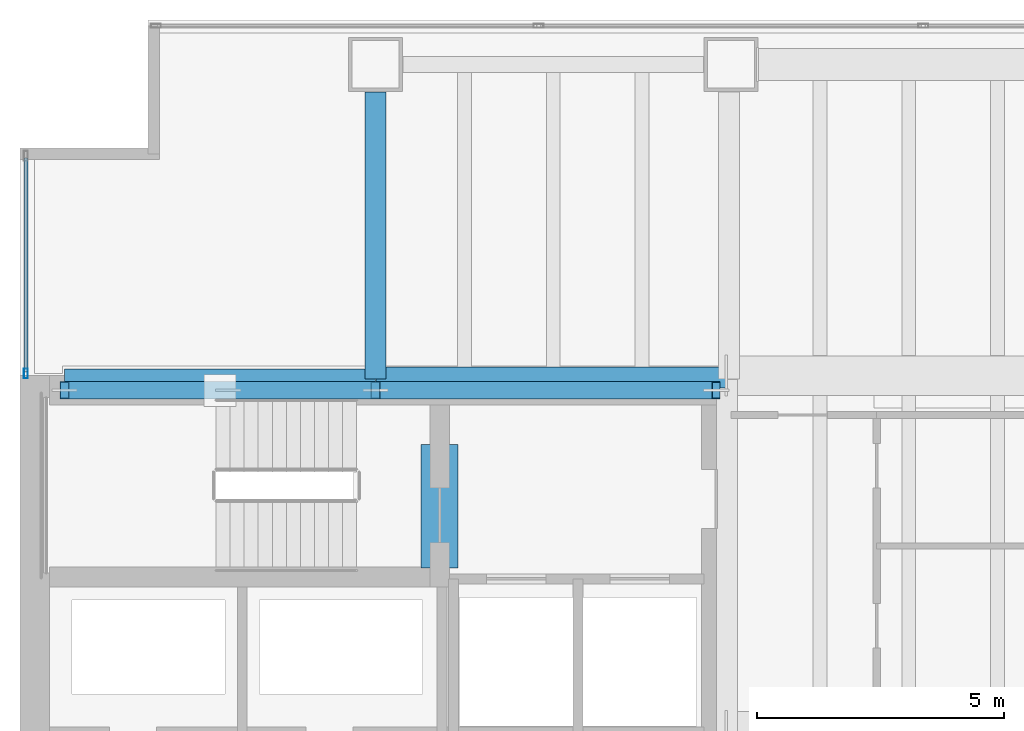
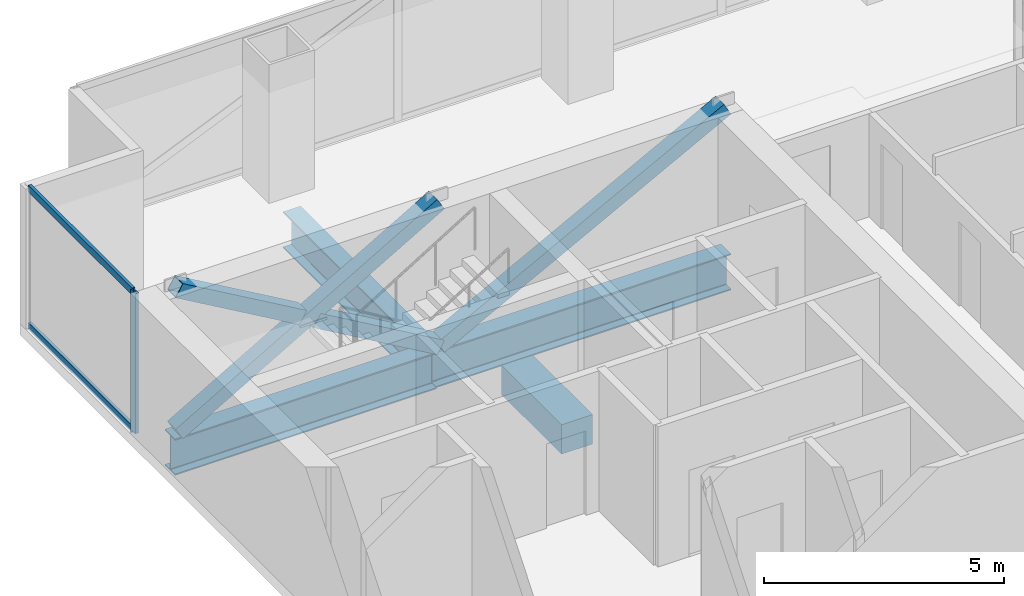
# One storey, part 14 of 24: 7 members, 4 beams, 1 element without a shape of its own.
"""IFC4 building model written with IfcOpenShell, lengths in metres."""

import ifcopenshell
import ifcopenshell.guid

model = None  # the IFC model being written
_history = None  # IfcOwnerHistory: only IFC2X3 demands one
_inside = {}  # id of a spatial element -> (the spatial element, [elements in it])
_under = {}  # id of a project, library or spatial element -> (it, [spatial elements below it])
_declared = {}  # id of a project -> (the project, [libraries it declares])
_typed = {}  # id of a type object -> (the type object, [elements of that type])
_made_of = {}  # id of a material, layer set ... -> (it, [elements and type objects made of it])


def new_model(schema):
    """Start an empty IFC model of exactly this schema.

    Asked for "IFC4X3", IfcOpenShell would pick the latest addendum, in which some entities
    have other attributes; the version numbers below select the first issue.
    IFC2X3 requires an IfcOwnerHistory on every rooted entity: one is made here for all.
    """
    global model, _history
    if schema == "IFC4X3":
        model = ifcopenshell.file(schema_version=(4, 3, 0, 0))
    else:
        model = ifcopenshell.file(schema=schema)
    _inside.clear()
    _under.clear()
    _declared.clear()
    _typed.clear()
    _made_of.clear()
    _history = None
    if model.schema == "IFC2X3":
        org = make("IfcOrganization", Name="unknown")
        user = make(
            "IfcPersonAndOrganization",
            ThePerson=make("IfcPerson", FamilyName="unknown"),
            TheOrganization=org,
        )
        app = make(
            "IfcApplication",
            ApplicationDeveloper=org,
            Version="unknown",
            ApplicationFullName="unknown",
            ApplicationIdentifier="unknown",
        )
        _history = make(
            "IfcOwnerHistory",
            OwningUser=user,
            OwningApplication=app,
            ChangeAction="ADDED",
            CreationDate=0,
        )
    return model


def make(cls, **values):
    """One entity of the class cls with the attributes given. An attribute that is None is left unset."""
    return model.create_entity(
        cls, **{name: value for name, value in values.items() if value is not None}
    )


def rooted(cls, **values):
    """An entity with a GlobalId (a new one), such as an element, a storey or a relation."""
    return make(cls, GlobalId=ifcopenshell.guid.new(), OwnerHistory=_history, **values)


def si_unit(unit_type, name, prefix=None):
    """IfcSIUnit, for example si_unit("LENGTHUNIT", "METRE", prefix="MILLI")."""
    return make("IfcSIUnit", UnitType=unit_type, Prefix=prefix, Name=name)


def assignment(units):
    """IfcUnitAssignment: the units of a project."""
    return None if units is None else make("IfcUnitAssignment", Units=units)


def point(xyz):
    """IfcCartesianPoint."""
    return None if xyz is None else make("IfcCartesianPoint", Coordinates=xyz)


def direction(xyz):
    """IfcDirection."""
    return None if xyz is None else make("IfcDirection", DirectionRatios=xyz)


def frame(location, z_axis=None, x_axis=None):
    """IfcAxis2Placement3D, a coordinate frame: its origin and axes. An axis left out is left unset."""
    return make(
        "IfcAxis2Placement3D",
        Location=point(location),
        Axis=direction(z_axis),
        RefDirection=direction(x_axis),
    )


def frame_2d(location, x_axis=None):
    """IfcAxis2Placement2D, a coordinate frame in the plane: its origin and x axis."""
    return make(
        "IfcAxis2Placement2D", Location=point(location), RefDirection=direction(x_axis)
    )


def origin():
    """The frame at (0, 0, 0) with its axes left unset."""
    return frame((0.0, 0.0, 0.0))


def origin_2d():
    """The frame at (0, 0) in the plane with its x axis left unset."""
    return frame_2d((0.0, 0.0))


def place(relative_to, where):
    """IfcLocalPlacement: puts the frame where relative to a parent placement (None: the world)."""
    return make(
        "IfcLocalPlacement", PlacementRelTo=relative_to, RelativePlacement=where
    )


def context(
    kind, dimensions, precision=None, world=None, true_north=None, identifier=None
):
    """IfcGeometricRepresentationContext, for example the 3D "Model" context."""
    return make(
        "IfcGeometricRepresentationContext",
        ContextIdentifier=identifier,
        ContextType=kind,
        CoordinateSpaceDimension=dimensions,
        Precision=precision,
        WorldCoordinateSystem=world,
        TrueNorth=true_north,
    )


def subcontext(parent, identifier, kind, view, scale=None):
    """IfcGeometricRepresentationSubContext, for example "Body" below "Model"."""
    return make(
        "IfcGeometricRepresentationSubContext",
        ContextIdentifier=identifier,
        ContextType=kind,
        ParentContext=parent,
        TargetScale=scale,
        TargetView=view,
    )


def project(units=None, contexts=None):
    """IfcProject with its units and contexts."""
    return rooted(
        "IfcProject",
        Name="project",
        RepresentationContexts=contexts,
        UnitsInContext=assignment(units),
    )


def spatial(cls, under=None, at=None, **own):
    """A site, building, storey or space (cls), placed at a placement, below another one or the project."""
    s = rooted(cls, ObjectPlacement=at, **own)
    if under is not None:
        _under.setdefault(under.id(), (under, []))[1].append(s)
    return s


def profile(cls, at=None, kind="AREA", **sizes):
    """A parametric profile (cls). Its sizes go by their IFC names, for example OverallWidth=200.0."""
    return make(cls, ProfileType=kind, Position=at, **sizes)


def rectangle(**sizes):
    """IfcRectangleProfileDef."""
    return profile("IfcRectangleProfileDef", **sizes)


def hollow_rectangle(**sizes):
    """IfcRectangleHollowProfileDef."""
    return profile("IfcRectangleHollowProfileDef", **sizes)


def i_section(**sizes):
    """IfcIShapeProfileDef."""
    return profile("IfcIShapeProfileDef", **sizes)


def extrude(swept, where, along, depth):
    """IfcExtrudedAreaSolid: the profile swept, set in the frame where, extruded along a direction by depth."""
    return make(
        "IfcExtrudedAreaSolid",
        SweptArea=swept,
        Position=where,
        ExtrudedDirection=direction(along),
        Depth=depth,
    )


def shape(context_of_items, identifier, shape_type, items):
    """IfcShapeRepresentation: the items that make up one representation, for example the "Body"."""
    return make(
        "IfcShapeRepresentation",
        ContextOfItems=context_of_items,
        RepresentationIdentifier=identifier,
        RepresentationType=shape_type,
        Items=items,
    )


def material(Name=None, Category=None):
    """IfcMaterial."""
    return make("IfcMaterial", Name=Name, Category=Category)


def material_profile(
    of_material, cross_section, Name=None, Category=None, Priority=None
):
    """IfcMaterialProfile: a cross section and its material."""
    return make(
        "IfcMaterialProfile",
        Name=Name,
        Material=of_material,
        Profile=cross_section,
        Priority=Priority,
        Category=Category,
    )


def profile_set(profiles, Name=None, composite=None):
    """IfcMaterialProfileSet."""
    return make(
        "IfcMaterialProfileSet",
        Name=Name,
        MaterialProfiles=profiles,
        CompositeProfile=composite,
    )


def made_of(thing, what):
    """Note that an element or type object is made of a material, layer set ...; save() writes the relation."""
    if what is not None:
        _made_of.setdefault(what.id(), (what, []))[1].append(thing)
    return thing


def type_object(cls, material=None, **own):
    """A type object (cls), such as IfcWallType, which elements share."""
    return made_of(rooted(cls, **own), material)


def element(
    cls,
    number,
    at=None,
    inside=None,
    cuts=None,
    type_object=None,
    material=None,
    context=None,
    identifier="Body",
    shape_type=None,
    held_by="IfcProductDefinitionShape",
    body=None,
    shapes=None,
    **own,
):
    """One element of the class cls, such as IfcWall. Its Tag is "e" and its number.

    at: its placement. inside: the storey or other place that contains it. cuts: it is an
    opening in that element (IfcRelVoidsElement). A single representation is given by context,
    identifier, shape_type and body (its items); several are given by shapes. held_by: the class
    of the entity that holds the representations. save() writes the other relations.
    """
    e = rooted(cls, Tag="e%d" % number, ObjectPlacement=at, **own)
    if body is not None:
        shapes = [shape(context, identifier, shape_type, body)]
    if shapes is not None:
        e.Representation = make(held_by, Representations=shapes)
    if inside is not None:
        _inside.setdefault(inside.id(), (inside, []))[1].append(e)
    if cuts is not None:
        rooted(
            "IfcRelVoidsElement", RelatingBuildingElement=cuts, RelatedOpeningElement=e
        )
    if type_object is not None:
        _typed.setdefault(type_object.id(), (type_object, []))[1].append(e)
    return made_of(e, material)


def aggregate(whole, parts):
    """IfcRelAggregates: a whole, such as a stair, and the parts it consists of."""
    return rooted("IfcRelAggregates", RelatingObject=whole, RelatedObjects=parts)


def save(model, path):
    """Write the relations noted so far, then the file.

    IfcRelAggregates (storeys below a building ...), IfcRelContainedInSpatialStructure (elements
    in a storey), IfcRelDefinesByType, IfcRelAssociatesMaterial and IfcRelDeclares: one each for
    every whole, place, type object, material and project.
    """
    for whole, parts in _under.values():
        aggregate(whole, parts)
    for where, things in _inside.values():
        rooted(
            "IfcRelContainedInSpatialStructure",
            RelatedElements=things,
            RelatingStructure=where,
        )
    for kind, things in _typed.values():
        rooted("IfcRelDefinesByType", RelatedObjects=things, RelatingType=kind)
    for what, things in _made_of.values():
        rooted("IfcRelAssociatesMaterial", RelatedObjects=things, RelatingMaterial=what)
    for by, libraries in _declared.values():
        rooted("IfcRelDeclares", RelatingContext=by, RelatedDefinitions=libraries)
    model.write(path)


model = new_model("IFC4")

# Units and contexts
model_context = context("Model", 3, precision=1e-05, world=origin(), true_north=direction((0.0, 1.0)))
body_context = subcontext(model_context, "Body", "Model", "MODEL_VIEW")
ifc_project = project(units=[si_unit("LENGTHUNIT", "METRE"), si_unit("AREAUNIT", "SQUARE_METRE"), si_unit("VOLUMEUNIT", "CUBIC_METRE"), si_unit("PLANEANGLEUNIT", "RADIAN"), si_unit("MASSUNIT", "GRAM", prefix="KILO")], contexts=[model_context])

# Site, building, storey
site_placement = place(None, origin())
site = spatial("IfcSite", under=ifc_project, at=site_placement, CompositionType="ELEMENT")
building_placement = place(site_placement, origin())
building = spatial("IfcBuilding", under=site, at=building_placement, Name="Cobrela Telecom Tower", CompositionType="ELEMENT")
storey_placement = place(building_placement, frame((0.0, 0.0, 31.14990234375)))
storey = spatial("IfcBuildingStorey", under=building, at=storey_placement, Name="L07", CompositionType="ELEMENT", Elevation=31.14990234375)

# Beams
ifc_material_1 = material(Name="Concrete C40/50", Category="concrete")
ifc_material_profile_1 = material_profile(ifc_material_1, rectangle(XDim=0.75, YDim=0.75, at=origin_2d()), Name="RC 750x750")
ifc_profile_set_1 = profile_set([ifc_material_profile_1], Name="Concrete C40/50")
beam_type_1 = type_object("IfcBeamType", Name="BM-COUP-RC", PredefinedType="LINTEL", material=ifc_profile_set_1)
beam_1_placement = place(storey_placement, frame((8.5, 32.10009765625, -0.6298828125), z_axis=(0.0, 1.0, 0.0), x_axis=(-1.0, 0.0, 0.0)))
element("IfcBeam", 1, at=beam_1_placement, inside=storey, type_object=beam_type_1, Name="L07 Core Coupling Lintel Beam", PredefinedType="LINTEL", context=body_context, shape_type="SweptSolid", body=[
    extrude(rectangle(XDim=0.75, YDim=0.75, at=origin_2d()), origin(), (0.0, 0.0, 1.0), 2.5),
])
ifc_material_2 = material(Name="Steel ASTM A992 Grade 50", Category="steel")
ifc_material_profile_2 = material_profile(ifc_material_2, i_section(OverallWidth=0.4189453125, OverallDepth=0.927001953125, WebThickness=0.019287109375, FlangeThickness=0.031982421875, FilletRadius=0.02392578125, at=origin_2d()), Name="W36X231")
ifc_profile_set_2 = profile_set([ifc_material_profile_2], Name="Steel ASTM A992 Grade 50")
beam_type_2 = type_object("IfcBeamType", Name="BM-GIRD-02", PredefinedType="USERDEFINED", material=ifc_profile_set_2)
beam_2_placement = place(storey_placement, frame((0.905029296875, 35.919921875, -0.743408203125), z_axis=(1.0, 0.0, 0.0), x_axis=(0.0, 1.0, 0.0)))
element("IfcBeam", 2, at=beam_2_placement, inside=storey, type_object=beam_type_2, Name="L07 Primary Girder X15", ObjectType="GIRDER", PredefinedType="USERDEFINED", context=body_context, shape_type="SweptSolid", body=[
    extrude(i_section(OverallWidth=0.4189453125, OverallDepth=0.927001953125, WebThickness=0.019287109375, FlangeThickness=0.031982421875, FilletRadius=0.02392578125, at=origin_2d()), origin(), (0.0, 0.0, 1.0), 6.2900390625),
])
beam_3_placement = place(storey_placement, frame((7.205078125, 35.9599609375, -0.743408203125), z_axis=(1.0, 0.0, 0.0), x_axis=(0.0, 1.0, 0.0)))
element("IfcBeam", 3, at=beam_3_placement, inside=storey, type_object=beam_type_2, Name="L07 Primary Girder X16", ObjectType="GIRDER", PredefinedType="USERDEFINED", context=body_context, shape_type="SweptSolid", body=[
    extrude(i_section(OverallWidth=0.4189453125, OverallDepth=0.927001953125, WebThickness=0.019287109375, FlangeThickness=0.031982421875, FilletRadius=0.02392578125, at=origin_2d()), origin(), (0.0, 0.0, 1.0), 7.10986328125),
])
beam_4_placement = place(storey_placement, frame((7.199951171875, 35.925048828125, -0.743408203125), z_axis=(0.0, 1.0, 0.0), x_axis=(-1.0, 0.0, 0.0)))
element("IfcBeam", 4, at=beam_4_placement, inside=storey, type_object=beam_type_2, Name="L07 Primary Girder Y19", ObjectType="GIRDER", PredefinedType="USERDEFINED", context=body_context, shape_type="SweptSolid", body=[
    extrude(i_section(OverallWidth=0.4189453125, OverallDepth=0.927001953125, WebThickness=0.019287109375, FlangeThickness=0.031982421875, FilletRadius=0.02392578125, at=origin_2d()), origin(), (0.0, 0.0, 1.0), 5.820068359375),
])

# Curtain wall, members
ifc_material_3 = material(Name="Anodized Bronze Aluminium 6063-T6", Category="aluminium")
curtain_wall_type = type_object("IfcCurtainWallType", Name="CW-SYS-DATA", PredefinedType="USERDEFINED", material=ifc_material_3)
curtain_wall_placement = place(storey_placement, origin())
curtain_wall = element("IfcCurtainWall", 5, at=curtain_wall_placement, inside=storey, type_object=curtain_wall_type, Name="L07 Unitised Bronze Curtain Wall 04", ObjectType="UNITISED CURTAIN WALL", PredefinedType="USERDEFINED")
ifc_material_profile_3 = material_profile(ifc_material_3, hollow_rectangle(XDim=0.080078125, YDim=0.199951171875, WallThickness=0.00390625, at=origin_2d()), Name="ALU 80x200x4")
ifc_profile_set_3 = profile_set([ifc_material_profile_3], Name="Anodized Bronze Aluminium 6063-T6")
member_type_1 = type_object("IfcMemberType", Name="CW-SYS-DATA-MUL", PredefinedType="MULLION", material=ifc_profile_set_3)
member_1_placement = place(storey_placement, frame((0.1201171875, 36.0400390625, 0.0), z_axis=(0.0, 0.0, 1.0), x_axis=(-1.0, 0.0, 0.0)))
member_1 = element("IfcMember", 6, at=member_1_placement, type_object=member_type_1, Name="CW-DATA mullion 1", PredefinedType="MULLION", context=body_context, shape_type="SweptSolid", body=[
    extrude(hollow_rectangle(XDim=0.080078125, YDim=0.199951171875, WallThickness=0.00390625, at=origin_2d()), origin(), (0.0, 0.0, 1.0), 3.570068359375),
])
ifc_material_profile_4 = material_profile(ifc_material_3, hollow_rectangle(XDim=0.074951171875, YDim=0.179931640625, WallThickness=0.00390625, at=origin_2d()), Name="ALU 75x180x4")
ifc_profile_set_4 = profile_set([ifc_material_profile_4], Name="Anodized Bronze Aluminium 6063-T6")
member_type_2 = type_object("IfcMemberType", Name="CW-SYS-DATA-TRN", PredefinedType="USERDEFINED", material=ifc_profile_set_4)
member_2_placement = place(storey_placement, frame((0.1201171875, 36.080078125, 0.03759765625), z_axis=(0.0, 1.0, 0.0), x_axis=(-1.0, 0.0, 0.0)))
member_2 = element("IfcMember", 7, at=member_2_placement, type_object=member_type_2, Name="CW-DATA transom 1.1", ObjectType="TRANSOM", PredefinedType="USERDEFINED", context=body_context, shape_type="SweptSolid", body=[
    extrude(hollow_rectangle(XDim=0.074951171875, YDim=0.179931640625, WallThickness=0.00390625, at=origin_2d()), origin(), (0.0, 0.0, 1.0), 4.329833984375),
])
member_3_placement = place(storey_placement, frame((0.1201171875, 36.080078125, 3.53271484375), z_axis=(0.0, 1.0, 0.0), x_axis=(-1.0, 0.0, 0.0)))
member_3 = element("IfcMember", 8, at=member_3_placement, type_object=member_type_2, Name="CW-DATA transom 1.2", ObjectType="TRANSOM", PredefinedType="USERDEFINED", context=body_context, shape_type="SweptSolid", body=[
    extrude(hollow_rectangle(XDim=0.074951171875, YDim=0.179931640625, WallThickness=0.00390625, at=origin_2d()), origin(), (0.0, 0.0, 1.0), 4.329833984375),
])
aggregate(curtain_wall, [member_1, member_2, member_3])

# Members
ifc_material_4 = material(Name="Steel ASTM A572 Grade 50", Category="steel")
ifc_material_profile_5 = material_profile(ifc_material_4, hollow_rectangle(XDim=0.35009765625, YDim=0.35009765625, WallThickness=0.01611328125, at=origin_2d()), Name="HSS 350x350x16")
ifc_profile_set_5 = profile_set([ifc_material_profile_5], Name="Steel ASTM A572 Grade 50")
member_type_3 = type_object("IfcMemberType", Name="MBR-EXO-02", PredefinedType="BRACE", material=ifc_profile_set_5)
member_4_placement = place(storey_placement, frame((0.89990234375, 35.699951171875, -0.039794921875), z_axis=(0.865277025542, 0.0, 0.501293994647), x_axis=(0.0, 1.0, 0.0)))
element("IfcMember", 9, at=member_4_placement, inside=storey, type_object=member_type_3, Name="L07 Core Flange Steel X-Brace Continuous A", PredefinedType="BRACE", context=body_context, shape_type="SweptSolid", body=[
    extrude(hollow_rectangle(XDim=0.35009765625, YDim=0.35009765625, WallThickness=0.01611328125, at=origin_2d()), origin(), (0.0, 0.0, 1.0), 7.281005859375),
])
member_5_placement = place(storey_placement, frame((7.199951171875, 35.699951171875, -0.039794921875), z_axis=(-0.865296850073, 0.0, 0.501259774223), x_axis=(0.0, -1.0, 0.0)))
element("IfcMember", 10, at=member_5_placement, inside=storey, type_object=member_type_3, Name="L07 Core Flange Steel X-Brace Split B1", PredefinedType="BRACE", context=body_context, shape_type="SweptSolid", body=[
    extrude(hollow_rectangle(XDim=0.35009765625, YDim=0.35009765625, WallThickness=0.01611328125, at=origin_2d()), origin(), (0.0, 0.0, 1.0), 3.4443359375),
])
member_6_placement = place(storey_placement, frame((3.88037109375, 35.699951171875, 1.88330078125), z_axis=(-0.865266106373, 0.0, 0.50131284161), x_axis=(0.0, -1.0, 0.0)))
element("IfcMember", 11, at=member_6_placement, inside=storey, type_object=member_type_3, Name="L07 Core Flange Steel X-Brace Split B2", PredefinedType="BRACE", context=body_context, shape_type="SweptSolid", body=[
    extrude(hollow_rectangle(XDim=0.35009765625, YDim=0.35009765625, WallThickness=0.01611328125, at=origin_2d()), origin(), (0.0, 0.0, 1.0), 3.444580078125),
])
member_7_placement = place(storey_placement, frame((7.199951171875, 35.699951171875, -0.039794921875), z_axis=(0.883952947778, 0.0, 0.467575861348), x_axis=(0.0, 1.0, 0.0)))
element("IfcMember", 12, at=member_7_placement, inside=storey, type_object=member_type_3, Name="L07 Core Flange Steel Brace N2", PredefinedType="BRACE", context=body_context, shape_type="SweptSolid", body=[
    extrude(hollow_rectangle(XDim=0.35009765625, YDim=0.35009765625, WallThickness=0.01611328125, at=origin_2d()), origin(), (0.0, 0.0, 1.0), 7.805908203125),
])

save(model, "model.ifc")
